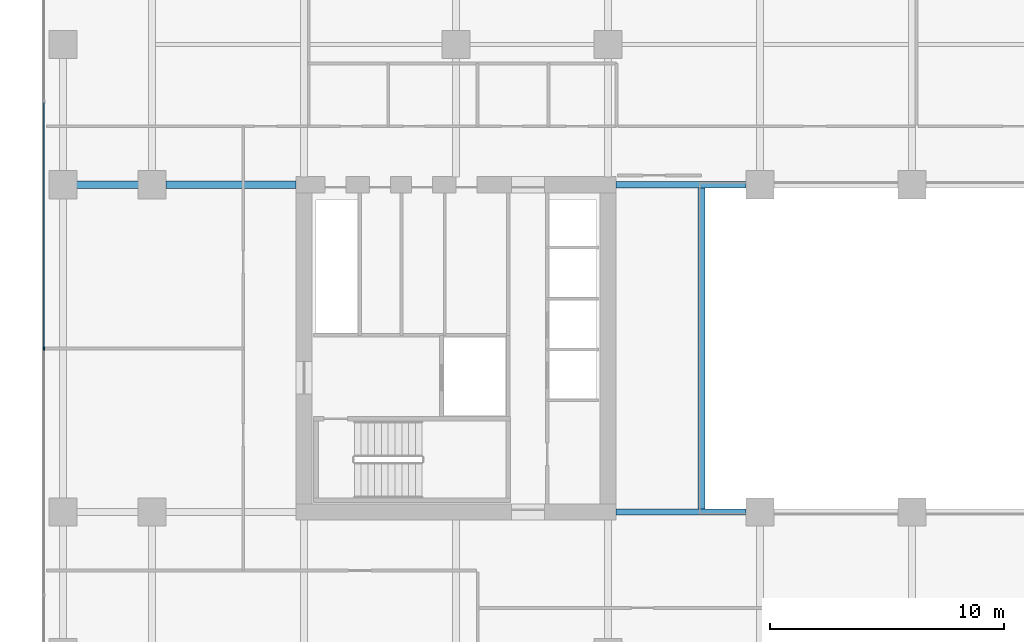
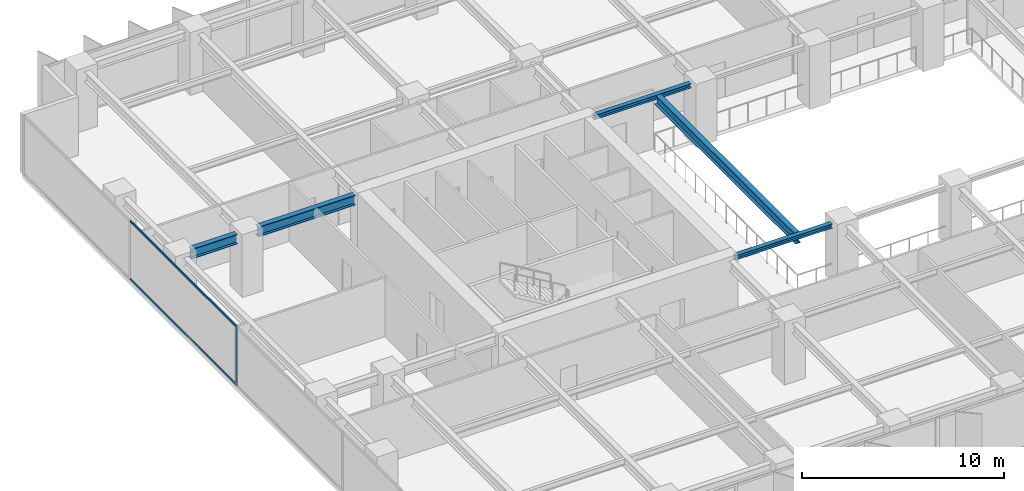
# One storey, part 4 of 20: 5 beams, 3 members, 1 element without a shape of its own.
"""IFC4 building model written with IfcOpenShell, lengths in metres."""

from ifc_helpers import new_model, si_unit, direction, frame, origin, origin_2d, place, context, subcontext, project, spatial, rectangle, i_section, extrude, material, layer, layer_set, material_profile, profile_set, type_object, element, aggregate, save


model = new_model("IFC4")

# Units and contexts
model_context = context("Model", 3, precision=1e-05, world=origin(), true_north=direction((0.0, 1.0)))
body_context = subcontext(model_context, "Body", "Model", "MODEL_VIEW")
ifc_project = project(units=[si_unit("LENGTHUNIT", "METRE"), si_unit("AREAUNIT", "SQUARE_METRE"), si_unit("VOLUMEUNIT", "CUBIC_METRE"), si_unit("PLANEANGLEUNIT", "RADIAN"), si_unit("MASSUNIT", "GRAM", prefix="KILO")], contexts=[model_context])

# Site, building, storey
site_placement = place(None, origin())
site = spatial("IfcSite", under=ifc_project, at=site_placement, CompositionType="ELEMENT")
building_placement = place(site_placement, origin())
building = spatial("IfcBuilding", under=site, at=building_placement, Name="Putna Gate Headquarters", CompositionType="ELEMENT")
storey_placement = place(building_placement, frame((0.0, 0.0, 105.0)))
storey = spatial("IfcBuildingStorey", under=building, at=storey_placement, Name="L25", CompositionType="ELEMENT", Elevation=105.0)

# Beams
ifc_material_1 = material(Name="Steel S355J2", Category="steel")
ifc_material_profile_1 = material_profile(ifc_material_1, i_section(OverallWidth=0.260009765625, OverallDepth=0.260009765625, WebThickness=0.010009765625, FlangeThickness=0.017578125, at=origin_2d()), Name="Steel S355J2")
ifc_profile_set_1 = profile_set([ifc_material_profile_1], Name="Steel S355J2")
beam_type_1 = type_object("IfcBeamType", Name="BM-ATRIUM-HEB260", PredefinedType="BEAM", material=ifc_profile_set_1)
for number, where, z_axis, x_axis, name in (
    (1, (26.3349609375, 19.0, 3.43505859375), (1.0, 0.0, 0.0), (0.0, 1.0, 0.0), "L25 Atrium Edge Beam AS1"),
    (2, (26.3349609375, 33.0, 3.43505859375), (1.0, 0.0, 0.0), (0.0, 1.0, 0.0), "L25 Atrium Edge Beam AN1"),
):
    element("IfcBeam", number, at=place(storey_placement, frame(where, z_axis=z_axis, x_axis=x_axis)), inside=storey, type_object=beam_type_1, Name=name, PredefinedType="BEAM", context=body_context, shape_type="SweptSolid", body=[
        extrude(i_section(OverallWidth=0.260009765625, OverallDepth=0.260009765625, WebThickness=0.010009765625, FlangeThickness=0.017578125, at=origin_2d()), origin(), (0.0, 0.0, 1.0), 5.5771484375),
    ])
ifc_material_profile_2 = material_profile(ifc_material_1, i_section(OverallWidth=0.300048828125, OverallDepth=0.60009765625, WebThickness=0.015380859375, FlangeThickness=0.030029296875, at=origin_2d()), Name="Steel S355J2")
ifc_profile_set_2 = profile_set([ifc_material_profile_2], Name="Steel S355J2")
beam_type_2 = type_object("IfcBeamType", Name="BM-GIRD-Z2-HEB600", PredefinedType="USERDEFINED", material=ifc_profile_set_2)
beam_1_placement = place(storey_placement, frame((3.26806640625, 33.0, 3.264892578125), z_axis=(1.0, 0.0, 0.0), x_axis=(0.0, 1.0, 0.0)))
element("IfcBeam", 3, at=beam_1_placement, inside=storey, type_object=beam_type_2, Name="L25 West Wing Girder Y33-1", ObjectType="GIRDER", PredefinedType="USERDEFINED", context=body_context, shape_type="SweptSolid", body=[
    extrude(i_section(OverallWidth=0.300048828125, OverallDepth=0.60009765625, WebThickness=0.015380859375, FlangeThickness=0.030029296875, at=origin_2d()), origin(), (0.0, 0.0, 1.0), 2.64404296875),
])
beam_2_placement = place(storey_placement, frame((7.087890625, 33.0, 3.264892578125), z_axis=(1.0, 0.0, 0.0), x_axis=(0.0, 1.0, 0.0)))
element("IfcBeam", 4, at=beam_2_placement, inside=storey, type_object=beam_type_2, Name="L25 West Wing Girder Y33-2", ObjectType="GIRDER", PredefinedType="USERDEFINED", context=body_context, shape_type="SweptSolid", body=[
    extrude(i_section(OverallWidth=0.300048828125, OverallDepth=0.60009765625, WebThickness=0.015380859375, FlangeThickness=0.030029296875, at=origin_2d()), origin(), (0.0, 0.0, 1.0), 5.5771484375),
])
beam_3_placement = place(storey_placement, frame((30.0, 19.010009765625, 3.264892578125), z_axis=(0.0, 1.0, 0.0), x_axis=(-1.0, 0.0, 0.0)))
element("IfcBeam", 5, at=beam_3_placement, inside=storey, type_object=beam_type_2, Name="L25 Atrium Trim Girder AW", ObjectType="GIRDER", PredefinedType="USERDEFINED", context=body_context, shape_type="SweptSolid", body=[
    extrude(i_section(OverallWidth=0.300048828125, OverallDepth=0.60009765625, WebThickness=0.015380859375, FlangeThickness=0.030029296875, at=origin_2d()), origin(), (0.0, 0.0, 1.0), 13.97998046875),
])

# Curtain wall, members
ifc_material_2 = material(Name="Anodised bronze aluminium curtain wall", Category="aluminium")
ifc_layer = layer(ifc_material_2, 0.159912109375)
ifc_layer_set = layer_set([ifc_layer], Name="Anodised bronze aluminium curtain wall")
curtain_wall_type = type_object("IfcCurtainWallType", Name="CW-SYS-Z2", PredefinedType="USERDEFINED", material=ifc_layer_set)
curtain_wall_placement = place(storey_placement, origin())
curtain_wall = element("IfcCurtainWall", 6, at=curtain_wall_placement, inside=storey, type_object=curtain_wall_type, Name="L25 West Curtain Wall", ObjectType="STICK CURTAIN WALL", PredefinedType="USERDEFINED")
ifc_material_3 = material(Name="Anodised bronze aluminium EN AW-6060", Category="aluminium")
ifc_material_profile_3 = material_profile(ifc_material_3, rectangle(XDim=0.06494140625, YDim=0.159912109375, at=origin_2d()), Name="Anodised bronze aluminium EN AW-6060")
ifc_profile_set_3 = profile_set([ifc_material_profile_3], Name="Anodised bronze aluminium EN AW-6060")
member_type_1 = type_object("IfcMemberType", Name="MULL-CWM-2", PredefinedType="MULLION", material=ifc_profile_set_3)
member_1_placement = place(storey_placement, frame((1.8798828125, 26.0, 0.0), z_axis=(0.0, 0.0, 1.0), x_axis=(-1.0, 0.0, 0.0)))
member_1 = element("IfcMember", 7, at=member_1_placement, type_object=member_type_1, Name="CWS-2 mullion 3", PredefinedType="MULLION", context=body_context, shape_type="SweptSolid", body=[
    extrude(rectangle(XDim=0.06494140625, YDim=0.159912109375, at=origin_2d()), origin(), (0.0, 0.0, 1.0), 3.56494140625),
])
ifc_material_profile_4 = material_profile(ifc_material_3, rectangle(XDim=0.06494140625, YDim=0.1201171875, at=origin_2d()), Name="Anodised bronze aluminium EN AW-6060")
ifc_profile_set_4 = profile_set([ifc_material_profile_4], Name="Anodised bronze aluminium EN AW-6060")
member_type_2 = type_object("IfcMemberType", Name="TRAN-CWT-2", PredefinedType="USERDEFINED", material=ifc_profile_set_4)
member_2_placement = place(storey_placement, frame((1.8798828125, 26.032470703125, 0.032470703125), z_axis=(0.0, 1.0, 0.0), x_axis=(-1.0, 0.0, 0.0)))
member_2 = element("IfcMember", 8, at=member_2_placement, type_object=member_type_2, Name="CWS-2 transom 3.1", ObjectType="TRANSOM", PredefinedType="USERDEFINED", context=body_context, shape_type="SweptSolid", body=[
    extrude(rectangle(XDim=0.06494140625, YDim=0.1201171875, at=origin_2d()), origin(), (0.0, 0.0, 1.0), 10.485107421875),
])
member_3_placement = place(storey_placement, frame((1.8798828125, 26.032470703125, 3.532470703125), z_axis=(0.0, 1.0, 0.0), x_axis=(-1.0, 0.0, 0.0)))
member_3 = element("IfcMember", 9, at=member_3_placement, type_object=member_type_2, Name="CWS-2 transom 3.2", ObjectType="TRANSOM", PredefinedType="USERDEFINED", context=body_context, shape_type="SweptSolid", body=[
    extrude(rectangle(XDim=0.06494140625, YDim=0.1201171875, at=origin_2d()), origin(), (0.0, 0.0, 1.0), 10.485107421875),
])
aggregate(curtain_wall, [member_1, member_2, member_3])

save(model, "model.ifc")
